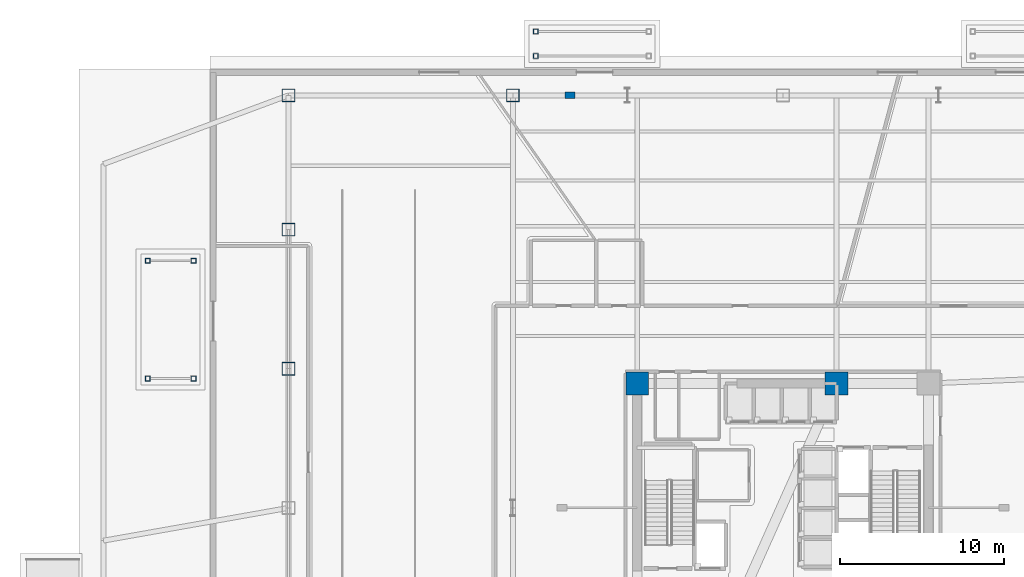
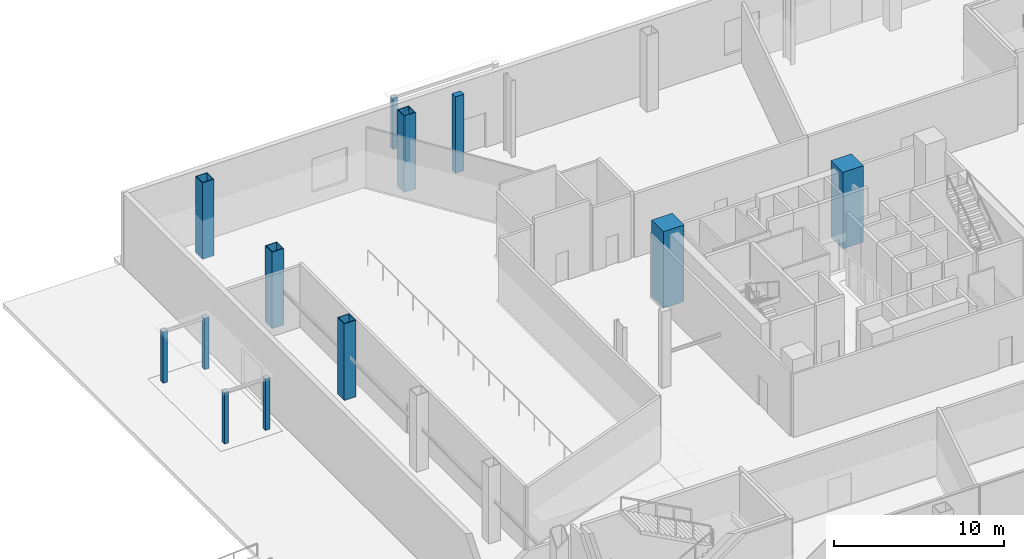
# One storey, part 4 of 27: 13 columns.
"""IFC4 building model written with IfcOpenShell, lengths in metres."""

from ifc_helpers import new_model, si_unit, direction, frame, origin, origin_2d, place, context, subcontext, project, spatial, rectangle, hollow_rectangle, extrude, material, material_profile, profile_set, type_object, element, save


model = new_model("IFC4")

# Units and contexts
model_context = context("Model", 3, precision=1e-05, world=origin(), true_north=direction((0.0, 1.0)))
body_context = subcontext(model_context, "Body", "Model", "MODEL_VIEW")
ifc_project = project(units=[si_unit("LENGTHUNIT", "METRE"), si_unit("AREAUNIT", "SQUARE_METRE"), si_unit("VOLUMEUNIT", "CUBIC_METRE"), si_unit("PLANEANGLEUNIT", "RADIAN"), si_unit("MASSUNIT", "GRAM", prefix="KILO")], contexts=[model_context])

# Site, building, storey
site_placement = place(None, origin())
site = spatial("IfcSite", under=ifc_project, at=site_placement, CompositionType="ELEMENT")
building_placement = place(site_placement, origin())
building = spatial("IfcBuilding", under=site, at=building_placement, Name="Tharavind Bronze Gate", CompositionType="ELEMENT")
storey_placement = place(building_placement, origin())
storey = spatial("IfcBuildingStorey", under=building, at=storey_placement, Name="L00", CompositionType="ELEMENT", Elevation=0.0)

# Columns
ifc_material_1 = material(Name="Concrete C70/85", Category="concrete")
ifc_material_profile_1 = material_profile(ifc_material_1, rectangle(XDim=1.39990234375, YDim=1.39990234375, at=origin_2d()), Name="RCCOL1400")
ifc_profile_set_1 = profile_set([ifc_material_profile_1], Name="Concrete C70/85")
column_type_1 = type_object("IfcColumnType", Name="MEGA CORE COLUMN 1400", PredefinedType="COLUMN", material=ifc_profile_set_1)
for number, where, z_axis, x_axis, name in (
    (1, (3.280029296875, 7.60009765625, 0.0), (0.0, 0.0, 1.0), (1.0, 0.0, 0.0), "L00 core mega column MC5"),
    (2, (-8.89990234375, 7.60009765625, 0.0), (0.0, 0.0, 1.0), (1.0, 0.0, 0.0), "L00 core mega column MC6"),
):
    element("IfcColumn", number, at=place(storey_placement, frame(where, z_axis=z_axis, x_axis=x_axis)), inside=storey, type_object=column_type_1, Name=name, PredefinedType="COLUMN", context=body_context, shape_type="SweptSolid", body=[
        extrude(rectangle(XDim=1.39990234375, YDim=1.39990234375, at=origin_2d()), origin(), (0.0, 0.0, 1.0), 5.5),
    ])
ifc_material_2 = material(Name="Steel S460", Category="steel")
ifc_material_profile_2 = material_profile(ifc_material_2, hollow_rectangle(XDim=0.300048828125, YDim=0.300048828125, WallThickness=0.02001953125, at=origin_2d()), Name="SHS300X20")
ifc_profile_set_2 = profile_set([ifc_material_profile_2], Name="Steel S460")
column_type_2 = type_object("IfcColumnType", Name="PERIMETER BOX COLUMN SHS300", PredefinedType="COLUMN", material=ifc_profile_set_2)
for number, where, z_axis, x_axis, name in (
    (3, (-15.10009765625, 27.60009765625, 0.0), (0.0, 0.0, 1.0), (1.0, 0.0, 0.0), "L00 canopy support post CN3A"),
    (4, (-15.10009765625, 29.10009765625, 0.0), (0.0, 0.0, 1.0), (1.0, 0.0, 0.0), "L00 canopy support post CN3D"),
    (5, (-38.800048828125, 7.89990234375, 0.0), (0.0, 0.0, 1.0), (1.0, 0.0, 0.0), "L00 canopy support post CN5A"),
    (6, (-36.0, 7.89990234375, 0.0), (0.0, 0.0, 1.0), (1.0, 0.0, 0.0), "L00 canopy support post CN5B"),
    (7, (-36.0, 15.10009765625, 0.0), (0.0, 0.0, 1.0), (1.0, 0.0, 0.0), "L00 canopy support post CN5C"),
    (8, (-38.800048828125, 15.10009765625, 0.0), (0.0, 0.0, 1.0), (1.0, 0.0, 0.0), "L00 canopy support post CN5D"),
):
    element("IfcColumn", number, at=place(storey_placement, frame(where, z_axis=z_axis, x_axis=x_axis)), inside=storey, type_object=column_type_2, Name=name, PredefinedType="COLUMN", context=body_context, shape_type="SweptSolid", body=[
        extrude(hollow_rectangle(XDim=0.300048828125, YDim=0.300048828125, WallThickness=0.02001953125, at=origin_2d()), origin(), (0.0, 0.0, 1.0), 3.699951171875),
    ])
ifc_material_profile_3 = material_profile(ifc_material_2, hollow_rectangle(XDim=0.800048828125, YDim=0.800048828125, WallThickness=0.044921875, at=origin_2d()), Name="SHS800X45")
ifc_profile_set_3 = profile_set([ifc_material_profile_3], Name="Steel S460")
column_type_3 = type_object("IfcColumnType", Name="PERIMETER BOX COLUMN SHS800", PredefinedType="COLUMN", material=ifc_profile_set_3)
for number, where, z_axis, x_axis, name in (
    (9, (-30.199951171875, 25.199951171875, 0.0), (0.0, 0.0, 1.0), (1.0, 0.0, 0.0), "L00 podium column PN10"),
    (10, (-16.5, 25.199951171875, 0.0), (0.0, 0.0, 1.0), (1.0, 0.0, 0.0), "L00 podium column PN24"),
    (11, (-30.199951171875, 8.5, 0.0), (0.0, 0.0, 1.0), (1.0, 0.0, 0.0), "L00 podium column PW38"),
    (12, (-30.199951171875, 17.0, 0.0), (0.0, 0.0, 1.0), (1.0, 0.0, 0.0), "L00 podium column PW47"),
):
    element("IfcColumn", number, at=place(storey_placement, frame(where, z_axis=z_axis, x_axis=x_axis)), inside=storey, type_object=column_type_3, Name=name, PredefinedType="COLUMN", context=body_context, shape_type="SweptSolid", body=[
        extrude(hollow_rectangle(XDim=0.800048828125, YDim=0.800048828125, WallThickness=0.044921875, at=origin_2d()), origin(), (0.0, 0.0, 1.0), 5.5),
    ])
ifc_material_3 = material(Name="Concrete C60/75", Category="concrete")
ifc_material_profile_4 = material_profile(ifc_material_3, rectangle(XDim=0.60009765625, YDim=0.39990234375, at=origin_2d()), Name="RCPIL600X400")
ifc_profile_set_4 = profile_set([ifc_material_profile_4], Name="Concrete C60/75")
column_type_4 = type_object("IfcColumnType", Name="PILASTER COLUMN 600X400", PredefinedType="PILASTER", material=ifc_profile_set_4)
column_placement = place(storey_placement, frame((-13.0, 25.199951171875, 0.0), z_axis=(0.0, 0.0, 1.0), x_axis=(1.0, 0.0, 0.0)))
element("IfcColumn", 13, at=column_placement, inside=storey, type_object=column_type_4, Name="L00 structural pilaster PILN", PredefinedType="PILASTER", context=body_context, shape_type="SweptSolid", body=[
    extrude(rectangle(XDim=0.60009765625, YDim=0.39990234375, at=origin_2d()), origin(), (0.0, 0.0, 1.0), 5.5),
])

save(model, "model.ifc")
